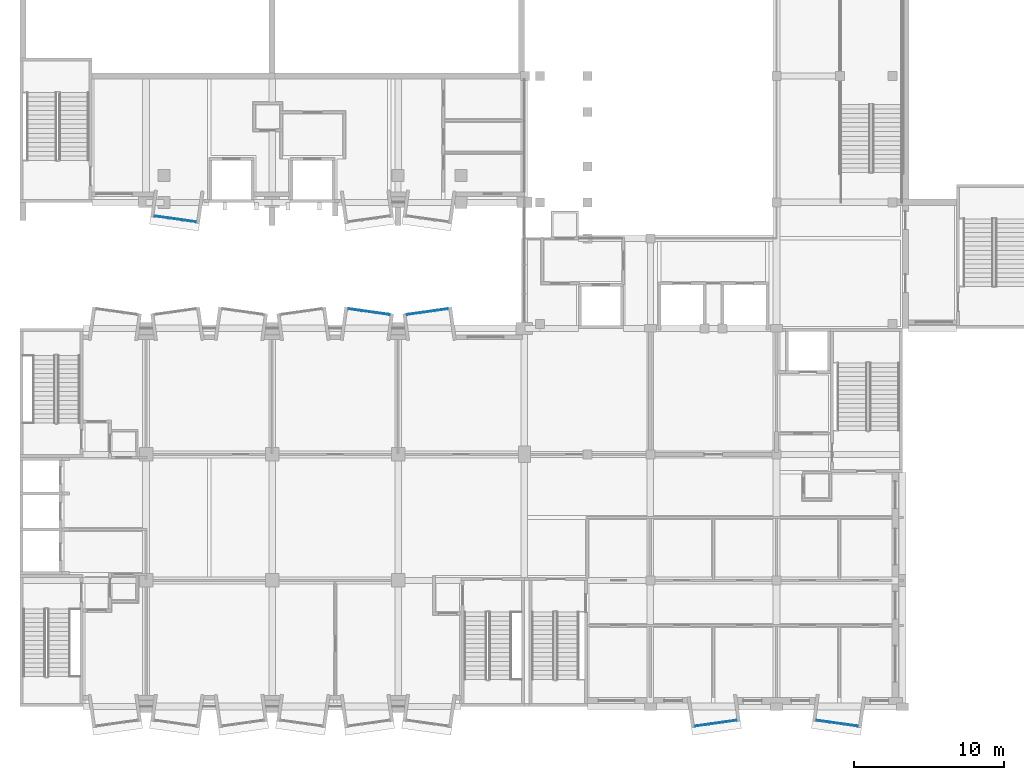
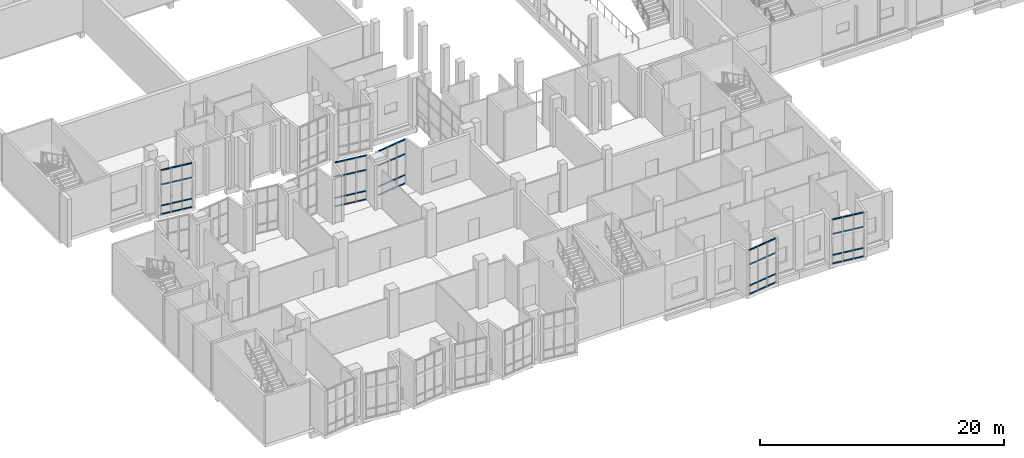
# One storey, part 17 of 91: 60 members, 5 elements without a shape of their own.
"""IFC4 building model written with IfcOpenShell, lengths in metres."""

from ifc_helpers import new_model, si_unit, direction, frame, origin, origin_2d, place, context, subcontext, project, spatial, rectangle, extrude, material, layer, layer_set, material_profile, profile_set, type_object, element, aggregate, save


model = new_model("IFC4")

# Units and contexts
model_context = context("Model", 3, precision=1e-05, world=origin(), true_north=direction((0.0, 1.0)))
body_context = subcontext(model_context, "Body", "Model", "MODEL_VIEW")
ifc_project = project(units=[si_unit("LENGTHUNIT", "METRE"), si_unit("AREAUNIT", "SQUARE_METRE"), si_unit("VOLUMEUNIT", "CUBIC_METRE"), si_unit("PLANEANGLEUNIT", "RADIAN"), si_unit("MASSUNIT", "GRAM", prefix="KILO")], contexts=[model_context])

# Site, building, storey
site_placement = place(None, origin())
site = spatial("IfcSite", under=ifc_project, at=site_placement, CompositionType="ELEMENT")
building_placement = place(site_placement, origin())
building = spatial("IfcBuilding", under=site, at=building_placement, Name="Kiln Court Media Centre", CompositionType="ELEMENT")
storey_placement = place(building_placement, frame((0.0, 0.0, 5.39990234375)))
storey = spatial("IfcBuildingStorey", under=building, at=storey_placement, Name="L01", CompositionType="ELEMENT", Elevation=5.39990234375)

# Curtain wall, members
ifc_material_1 = material(Name="Aluminium 6063-T6", Category="aluminium")
ifc_layer = layer(ifc_material_1, 0.1201171875)
ifc_layer_set = layer_set([ifc_layer], Name="Aluminium unitised bay curtain wall")
curtain_wall_type = type_object("IfcCurtainWallType", Name="Aluminium unitised bay curtain wall", PredefinedType="USERDEFINED", material=ifc_layer_set)
curtain_wall_1_placement = place(storey_placement, origin())
curtain_wall_1 = element("IfcCurtainWall", 1, at=curtain_wall_1_placement, inside=storey, type_object=curtain_wall_type, Name="BAY V4-S-L01-03 front", ObjectType="UNITISED CURTAIN WALL", PredefinedType="USERDEFINED")
ifc_material_2 = material(Name="Aluminium 6063-T6", Category="aluminium")
ifc_material_profile = material_profile(ifc_material_2, rectangle(XDim=0.06005859375, YDim=0.1201171875, at=origin_2d()), Name="Aluminium transom 60x120")
ifc_profile_set = profile_set([ifc_material_profile], Name="Aluminium 6063-T6")
member_type = type_object("IfcMemberType", Name="Aluminium transom 60x120", PredefinedType="USERDEFINED", material=ifc_profile_set)
member_1_placement = place(storey_placement, frame((8.982421875, 32.68212890625, 0.06005859375), z_axis=(0.990273563383, -0.139133998951, 0.0), x_axis=(0.139133998951, 0.990273563383, 0.0)))
member_1 = element("IfcMember", 2, at=member_1_placement, type_object=member_type, Name="CW1-01 transom 1.1", ObjectType="TRANSOM", PredefinedType="USERDEFINED", context=body_context, shape_type="SweptSolid", body=[
    extrude(rectangle(XDim=0.06005859375, YDim=0.1201171875, at=origin_2d()), origin(), (0.0, 0.0, 1.0), 0.866943359375),
])
member_2_placement = place(storey_placement, frame((8.982421875, 32.68212890625, 0.900146484375), z_axis=(0.990273563383, -0.139133998951, 0.0), x_axis=(0.139133998951, 0.990273563383, 0.0)))
member_2 = element("IfcMember", 3, at=member_2_placement, type_object=member_type, Name="CW1-01 transom 1.2", ObjectType="TRANSOM", PredefinedType="USERDEFINED", context=body_context, shape_type="SweptSolid", body=[
    extrude(rectangle(XDim=0.06005859375, YDim=0.1201171875, at=origin_2d()), origin(), (0.0, 0.0, 1.0), 0.866943359375),
])
member_3_placement = place(storey_placement, frame((8.982421875, 32.68212890625, 3.0), z_axis=(0.990273563383, -0.139133998951, 0.0), x_axis=(0.139133998951, 0.990273563383, 0.0)))
member_3 = element("IfcMember", 4, at=member_3_placement, type_object=member_type, Name="CW1-01 transom 1.3", ObjectType="TRANSOM", PredefinedType="USERDEFINED", context=body_context, shape_type="SweptSolid", body=[
    extrude(rectangle(XDim=0.06005859375, YDim=0.1201171875, at=origin_2d()), origin(), (0.0, 0.0, 1.0), 0.866943359375),
])
member_4_placement = place(storey_placement, frame((8.982421875, 32.68212890625, 4.440185546875), z_axis=(0.990273563383, -0.139133998951, 0.0), x_axis=(0.139133998951, 0.990273563383, 0.0)))
member_4 = element("IfcMember", 5, at=member_4_placement, type_object=member_type, Name="CW1-01 transom 1.4", ObjectType="TRANSOM", PredefinedType="USERDEFINED", context=body_context, shape_type="SweptSolid", body=[
    extrude(rectangle(XDim=0.06005859375, YDim=0.1201171875, at=origin_2d()), origin(), (0.0, 0.0, 1.0), 0.866943359375),
])
member_5_placement = place(storey_placement, frame((9.900146484375, 32.55322265625, 0.06005859375), z_axis=(0.990273584723, -0.13913384707, 0.0), x_axis=(0.13913384707, 0.990273584723, 0.0)))
member_5 = element("IfcMember", 6, at=member_5_placement, type_object=member_type, Name="CW1-01 transom 2.1", ObjectType="TRANSOM", PredefinedType="USERDEFINED", context=body_context, shape_type="SweptSolid", body=[
    extrude(rectangle(XDim=0.06005859375, YDim=0.1201171875, at=origin_2d()), origin(), (0.0, 0.0, 1.0), 0.896728515625),
])
member_6_placement = place(storey_placement, frame((9.900146484375, 32.55322265625, 0.900146484375), z_axis=(0.990273584723, -0.13913384707, 0.0), x_axis=(0.13913384707, 0.990273584723, 0.0)))
member_6 = element("IfcMember", 7, at=member_6_placement, type_object=member_type, Name="CW1-01 transom 2.2", ObjectType="TRANSOM", PredefinedType="USERDEFINED", context=body_context, shape_type="SweptSolid", body=[
    extrude(rectangle(XDim=0.06005859375, YDim=0.1201171875, at=origin_2d()), origin(), (0.0, 0.0, 1.0), 0.896728515625),
])
member_7_placement = place(storey_placement, frame((9.900146484375, 32.55322265625, 3.0), z_axis=(0.990273584723, -0.13913384707, 0.0), x_axis=(0.13913384707, 0.990273584723, 0.0)))
member_7 = element("IfcMember", 8, at=member_7_placement, type_object=member_type, Name="CW1-01 transom 2.3", ObjectType="TRANSOM", PredefinedType="USERDEFINED", context=body_context, shape_type="SweptSolid", body=[
    extrude(rectangle(XDim=0.06005859375, YDim=0.1201171875, at=origin_2d()), origin(), (0.0, 0.0, 1.0), 0.896728515625),
])
member_8_placement = place(storey_placement, frame((9.900146484375, 32.55322265625, 4.440185546875), z_axis=(0.990273584723, -0.13913384707, 0.0), x_axis=(0.13913384707, 0.990273584723, 0.0)))
member_8 = element("IfcMember", 9, at=member_8_placement, type_object=member_type, Name="CW1-01 transom 2.4", ObjectType="TRANSOM", PredefinedType="USERDEFINED", context=body_context, shape_type="SweptSolid", body=[
    extrude(rectangle(XDim=0.06005859375, YDim=0.1201171875, at=origin_2d()), origin(), (0.0, 0.0, 1.0), 0.896728515625),
])
member_9_placement = place(storey_placement, frame((10.84765625, 32.420166015625, 0.06005859375), z_axis=(0.990268108888, -0.139172815303, 0.0), x_axis=(0.139172815303, 0.990268108888, 0.0)))
member_9 = element("IfcMember", 10, at=member_9_placement, type_object=member_type, Name="CW1-01 transom 3.1", ObjectType="TRANSOM", PredefinedType="USERDEFINED", context=body_context, shape_type="SweptSolid", body=[
    extrude(rectangle(XDim=0.06005859375, YDim=0.1201171875, at=origin_2d()), origin(), (0.0, 0.0, 1.0), 0.86669921875),
])
member_10_placement = place(storey_placement, frame((10.84765625, 32.420166015625, 0.900146484375), z_axis=(0.990268108888, -0.139172815303, 0.0), x_axis=(0.139172815303, 0.990268108888, 0.0)))
member_10 = element("IfcMember", 11, at=member_10_placement, type_object=member_type, Name="CW1-01 transom 3.2", ObjectType="TRANSOM", PredefinedType="USERDEFINED", context=body_context, shape_type="SweptSolid", body=[
    extrude(rectangle(XDim=0.06005859375, YDim=0.1201171875, at=origin_2d()), origin(), (0.0, 0.0, 1.0), 0.86669921875),
])
member_11_placement = place(storey_placement, frame((10.84765625, 32.420166015625, 3.0), z_axis=(0.990268108888, -0.139172815303, 0.0), x_axis=(0.139172815303, 0.990268108888, 0.0)))
member_11 = element("IfcMember", 12, at=member_11_placement, type_object=member_type, Name="CW1-01 transom 3.3", ObjectType="TRANSOM", PredefinedType="USERDEFINED", context=body_context, shape_type="SweptSolid", body=[
    extrude(rectangle(XDim=0.06005859375, YDim=0.1201171875, at=origin_2d()), origin(), (0.0, 0.0, 1.0), 0.86669921875),
])
member_12_placement = place(storey_placement, frame((10.84765625, 32.420166015625, 4.440185546875), z_axis=(0.990268108888, -0.139172815303, 0.0), x_axis=(0.139172815303, 0.990268108888, 0.0)))
member_12 = element("IfcMember", 13, at=member_12_placement, type_object=member_type, Name="CW1-01 transom 3.4", ObjectType="TRANSOM", PredefinedType="USERDEFINED", context=body_context, shape_type="SweptSolid", body=[
    extrude(rectangle(XDim=0.06005859375, YDim=0.1201171875, at=origin_2d()), origin(), (0.0, 0.0, 1.0), 0.86669921875),
])
aggregate(curtain_wall_1, [member_1, member_2, member_3, member_4, member_5, member_6, member_7, member_8, member_9, member_10, member_11, member_12])

curtain_wall_2_placement = place(storey_placement, origin())
curtain_wall_2 = element("IfcCurtainWall", 14, at=curtain_wall_2_placement, inside=storey, type_object=curtain_wall_type, Name="BAY V6A-N-L01-06 front", ObjectType="UNITISED CURTAIN WALL", PredefinedType="USERDEFINED")
member_13_placement = place(storey_placement, frame((21.894287109375, 26.50048828125, 0.06005859375), z_axis=(0.990268108888, -0.139172815303, 0.0), x_axis=(0.139172815303, 0.990268108888, 0.0)))
member_13 = element("IfcMember", 15, at=member_13_placement, type_object=member_type, Name="CW1-08 transom 1.1", ObjectType="TRANSOM", PredefinedType="USERDEFINED", context=body_context, shape_type="SweptSolid", body=[
    extrude(rectangle(XDim=0.06005859375, YDim=0.1201171875, at=origin_2d()), origin(), (0.0, 0.0, 1.0), 0.86669921875),
])
member_14_placement = place(storey_placement, frame((21.894287109375, 26.50048828125, 0.900146484375), z_axis=(0.990268108888, -0.139172815303, 0.0), x_axis=(0.139172815303, 0.990268108888, 0.0)))
member_14 = element("IfcMember", 16, at=member_14_placement, type_object=member_type, Name="CW1-08 transom 1.2", ObjectType="TRANSOM", PredefinedType="USERDEFINED", context=body_context, shape_type="SweptSolid", body=[
    extrude(rectangle(XDim=0.06005859375, YDim=0.1201171875, at=origin_2d()), origin(), (0.0, 0.0, 1.0), 0.86669921875),
])
member_15_placement = place(storey_placement, frame((21.894287109375, 26.50048828125, 3.0), z_axis=(0.990268108888, -0.139172815303, 0.0), x_axis=(0.139172815303, 0.990268108888, 0.0)))
member_15 = element("IfcMember", 17, at=member_15_placement, type_object=member_type, Name="CW1-08 transom 1.3", ObjectType="TRANSOM", PredefinedType="USERDEFINED", context=body_context, shape_type="SweptSolid", body=[
    extrude(rectangle(XDim=0.06005859375, YDim=0.1201171875, at=origin_2d()), origin(), (0.0, 0.0, 1.0), 0.86669921875),
])
member_16_placement = place(storey_placement, frame((21.894287109375, 26.50048828125, 4.440185546875), z_axis=(0.990268108888, -0.139172815303, 0.0), x_axis=(0.139172815303, 0.990268108888, 0.0)))
member_16 = element("IfcMember", 18, at=member_16_placement, type_object=member_type, Name="CW1-08 transom 1.4", ObjectType="TRANSOM", PredefinedType="USERDEFINED", context=body_context, shape_type="SweptSolid", body=[
    extrude(rectangle(XDim=0.06005859375, YDim=0.1201171875, at=origin_2d()), origin(), (0.0, 0.0, 1.0), 0.86669921875),
])
member_17_placement = place(storey_placement, frame((22.811767578125, 26.37158203125, 0.06005859375), z_axis=(0.990273584723, -0.13913384707, 0.0), x_axis=(0.13913384707, 0.990273584723, 0.0)))
member_17 = element("IfcMember", 19, at=member_17_placement, type_object=member_type, Name="CW1-08 transom 2.1", ObjectType="TRANSOM", PredefinedType="USERDEFINED", context=body_context, shape_type="SweptSolid", body=[
    extrude(rectangle(XDim=0.06005859375, YDim=0.1201171875, at=origin_2d()), origin(), (0.0, 0.0, 1.0), 0.896728515625),
])
member_18_placement = place(storey_placement, frame((22.811767578125, 26.37158203125, 0.900146484375), z_axis=(0.990273584723, -0.13913384707, 0.0), x_axis=(0.13913384707, 0.990273584723, 0.0)))
member_18 = element("IfcMember", 20, at=member_18_placement, type_object=member_type, Name="CW1-08 transom 2.2", ObjectType="TRANSOM", PredefinedType="USERDEFINED", context=body_context, shape_type="SweptSolid", body=[
    extrude(rectangle(XDim=0.06005859375, YDim=0.1201171875, at=origin_2d()), origin(), (0.0, 0.0, 1.0), 0.896728515625),
])
member_19_placement = place(storey_placement, frame((22.811767578125, 26.37158203125, 3.0), z_axis=(0.990273584723, -0.13913384707, 0.0), x_axis=(0.13913384707, 0.990273584723, 0.0)))
member_19 = element("IfcMember", 21, at=member_19_placement, type_object=member_type, Name="CW1-08 transom 2.3", ObjectType="TRANSOM", PredefinedType="USERDEFINED", context=body_context, shape_type="SweptSolid", body=[
    extrude(rectangle(XDim=0.06005859375, YDim=0.1201171875, at=origin_2d()), origin(), (0.0, 0.0, 1.0), 0.896728515625),
])
member_20_placement = place(storey_placement, frame((22.811767578125, 26.37158203125, 4.440185546875), z_axis=(0.990273584723, -0.13913384707, 0.0), x_axis=(0.13913384707, 0.990273584723, 0.0)))
member_20 = element("IfcMember", 22, at=member_20_placement, type_object=member_type, Name="CW1-08 transom 2.4", ObjectType="TRANSOM", PredefinedType="USERDEFINED", context=body_context, shape_type="SweptSolid", body=[
    extrude(rectangle(XDim=0.06005859375, YDim=0.1201171875, at=origin_2d()), origin(), (0.0, 0.0, 1.0), 0.896728515625),
])
member_21_placement = place(storey_placement, frame((23.75927734375, 26.23828125, 0.06005859375), z_axis=(0.990268108888, -0.139172815303, 0.0), x_axis=(0.139172815303, 0.990268108888, 0.0)))
member_21 = element("IfcMember", 23, at=member_21_placement, type_object=member_type, Name="CW1-08 transom 3.1", ObjectType="TRANSOM", PredefinedType="USERDEFINED", context=body_context, shape_type="SweptSolid", body=[
    extrude(rectangle(XDim=0.06005859375, YDim=0.1201171875, at=origin_2d()), origin(), (0.0, 0.0, 1.0), 0.86669921875),
])
member_22_placement = place(storey_placement, frame((23.75927734375, 26.23828125, 0.900146484375), z_axis=(0.990268108888, -0.139172815303, 0.0), x_axis=(0.139172815303, 0.990268108888, 0.0)))
member_22 = element("IfcMember", 24, at=member_22_placement, type_object=member_type, Name="CW1-08 transom 3.2", ObjectType="TRANSOM", PredefinedType="USERDEFINED", context=body_context, shape_type="SweptSolid", body=[
    extrude(rectangle(XDim=0.06005859375, YDim=0.1201171875, at=origin_2d()), origin(), (0.0, 0.0, 1.0), 0.86669921875),
])
member_23_placement = place(storey_placement, frame((23.75927734375, 26.23828125, 3.0), z_axis=(0.990268108888, -0.139172815303, 0.0), x_axis=(0.139172815303, 0.990268108888, 0.0)))
member_23 = element("IfcMember", 25, at=member_23_placement, type_object=member_type, Name="CW1-08 transom 3.3", ObjectType="TRANSOM", PredefinedType="USERDEFINED", context=body_context, shape_type="SweptSolid", body=[
    extrude(rectangle(XDim=0.06005859375, YDim=0.1201171875, at=origin_2d()), origin(), (0.0, 0.0, 1.0), 0.86669921875),
])
member_24_placement = place(storey_placement, frame((23.75927734375, 26.23828125, 4.440185546875), z_axis=(0.990268108888, -0.139172815303, 0.0), x_axis=(0.139172815303, 0.990268108888, 0.0)))
member_24 = element("IfcMember", 26, at=member_24_placement, type_object=member_type, Name="CW1-08 transom 3.4", ObjectType="TRANSOM", PredefinedType="USERDEFINED", context=body_context, shape_type="SweptSolid", body=[
    extrude(rectangle(XDim=0.06005859375, YDim=0.1201171875, at=origin_2d()), origin(), (0.0, 0.0, 1.0), 0.86669921875),
])
aggregate(curtain_wall_2, [member_13, member_14, member_15, member_16, member_17, member_18, member_19, member_20, member_21, member_22, member_23, member_24])

curtain_wall_3_placement = place(storey_placement, origin())
curtain_wall_3 = element("IfcCurtainWall", 27, at=curtain_wall_3_placement, inside=storey, type_object=curtain_wall_type, Name="BAY V6A-N-L01-07 front", ObjectType="UNITISED CURTAIN WALL", PredefinedType="USERDEFINED")
member_25_placement = place(storey_placement, frame((25.782470703125, 26.11767578125, 0.06005859375), z_axis=(0.990273563383, 0.139133998951, 0.0), x_axis=(-0.139133998951, 0.990273563383, 0.0)))
member_25 = element("IfcMember", 28, at=member_25_placement, type_object=member_type, Name="CW1-09 transom 1.1", ObjectType="TRANSOM", PredefinedType="USERDEFINED", context=body_context, shape_type="SweptSolid", body=[
    extrude(rectangle(XDim=0.06005859375, YDim=0.1201171875, at=origin_2d()), origin(), (0.0, 0.0, 1.0), 0.866943359375),
])
member_26_placement = place(storey_placement, frame((25.782470703125, 26.11767578125, 0.900146484375), z_axis=(0.990273563383, 0.139133998951, 0.0), x_axis=(-0.139133998951, 0.990273563383, 0.0)))
member_26 = element("IfcMember", 29, at=member_26_placement, type_object=member_type, Name="CW1-09 transom 1.2", ObjectType="TRANSOM", PredefinedType="USERDEFINED", context=body_context, shape_type="SweptSolid", body=[
    extrude(rectangle(XDim=0.06005859375, YDim=0.1201171875, at=origin_2d()), origin(), (0.0, 0.0, 1.0), 0.866943359375),
])
member_27_placement = place(storey_placement, frame((25.782470703125, 26.11767578125, 3.0), z_axis=(0.990273563383, 0.139133998951, 0.0), x_axis=(-0.139133998951, 0.990273563383, 0.0)))
member_27 = element("IfcMember", 30, at=member_27_placement, type_object=member_type, Name="CW1-09 transom 1.3", ObjectType="TRANSOM", PredefinedType="USERDEFINED", context=body_context, shape_type="SweptSolid", body=[
    extrude(rectangle(XDim=0.06005859375, YDim=0.1201171875, at=origin_2d()), origin(), (0.0, 0.0, 1.0), 0.866943359375),
])
member_28_placement = place(storey_placement, frame((25.782470703125, 26.11767578125, 4.440185546875), z_axis=(0.990273563383, 0.139133998951, 0.0), x_axis=(-0.139133998951, 0.990273563383, 0.0)))
member_28 = element("IfcMember", 31, at=member_28_placement, type_object=member_type, Name="CW1-09 transom 1.4", ObjectType="TRANSOM", PredefinedType="USERDEFINED", context=body_context, shape_type="SweptSolid", body=[
    extrude(rectangle(XDim=0.06005859375, YDim=0.1201171875, at=origin_2d()), origin(), (0.0, 0.0, 1.0), 0.866943359375),
])
member_29_placement = place(storey_placement, frame((26.7001953125, 26.246826171875, 0.06005859375), z_axis=(0.990273584723, 0.13913384707, 0.0), x_axis=(-0.13913384707, 0.990273584723, 0.0)))
member_29 = element("IfcMember", 32, at=member_29_placement, type_object=member_type, Name="CW1-09 transom 2.1", ObjectType="TRANSOM", PredefinedType="USERDEFINED", context=body_context, shape_type="SweptSolid", body=[
    extrude(rectangle(XDim=0.06005859375, YDim=0.1201171875, at=origin_2d()), origin(), (0.0, 0.0, 1.0), 0.896728515625),
])
member_30_placement = place(storey_placement, frame((26.7001953125, 26.246826171875, 0.900146484375), z_axis=(0.990273584723, 0.13913384707, 0.0), x_axis=(-0.13913384707, 0.990273584723, 0.0)))
member_30 = element("IfcMember", 33, at=member_30_placement, type_object=member_type, Name="CW1-09 transom 2.2", ObjectType="TRANSOM", PredefinedType="USERDEFINED", context=body_context, shape_type="SweptSolid", body=[
    extrude(rectangle(XDim=0.06005859375, YDim=0.1201171875, at=origin_2d()), origin(), (0.0, 0.0, 1.0), 0.896728515625),
])
member_31_placement = place(storey_placement, frame((26.7001953125, 26.246826171875, 3.0), z_axis=(0.990273584723, 0.13913384707, 0.0), x_axis=(-0.13913384707, 0.990273584723, 0.0)))
member_31 = element("IfcMember", 34, at=member_31_placement, type_object=member_type, Name="CW1-09 transom 2.3", ObjectType="TRANSOM", PredefinedType="USERDEFINED", context=body_context, shape_type="SweptSolid", body=[
    extrude(rectangle(XDim=0.06005859375, YDim=0.1201171875, at=origin_2d()), origin(), (0.0, 0.0, 1.0), 0.896728515625),
])
member_32_placement = place(storey_placement, frame((26.7001953125, 26.246826171875, 4.440185546875), z_axis=(0.990273584723, 0.13913384707, 0.0), x_axis=(-0.13913384707, 0.990273584723, 0.0)))
member_32 = element("IfcMember", 35, at=member_32_placement, type_object=member_type, Name="CW1-09 transom 2.4", ObjectType="TRANSOM", PredefinedType="USERDEFINED", context=body_context, shape_type="SweptSolid", body=[
    extrude(rectangle(XDim=0.06005859375, YDim=0.1201171875, at=origin_2d()), origin(), (0.0, 0.0, 1.0), 0.896728515625),
])
member_33_placement = place(storey_placement, frame((27.6474609375, 26.3798828125, 0.06005859375), z_axis=(0.990273563383, 0.139133998951, 0.0), x_axis=(-0.139133998951, 0.990273563383, 0.0)))
member_33 = element("IfcMember", 36, at=member_33_placement, type_object=member_type, Name="CW1-09 transom 3.1", ObjectType="TRANSOM", PredefinedType="USERDEFINED", context=body_context, shape_type="SweptSolid", body=[
    extrude(rectangle(XDim=0.06005859375, YDim=0.1201171875, at=origin_2d()), origin(), (0.0, 0.0, 1.0), 0.866943359375),
])
member_34_placement = place(storey_placement, frame((27.6474609375, 26.3798828125, 0.900146484375), z_axis=(0.990273563383, 0.139133998951, 0.0), x_axis=(-0.139133998951, 0.990273563383, 0.0)))
member_34 = element("IfcMember", 37, at=member_34_placement, type_object=member_type, Name="CW1-09 transom 3.2", ObjectType="TRANSOM", PredefinedType="USERDEFINED", context=body_context, shape_type="SweptSolid", body=[
    extrude(rectangle(XDim=0.06005859375, YDim=0.1201171875, at=origin_2d()), origin(), (0.0, 0.0, 1.0), 0.866943359375),
])
member_35_placement = place(storey_placement, frame((27.6474609375, 26.3798828125, 3.0), z_axis=(0.990273563383, 0.139133998951, 0.0), x_axis=(-0.139133998951, 0.990273563383, 0.0)))
member_35 = element("IfcMember", 38, at=member_35_placement, type_object=member_type, Name="CW1-09 transom 3.3", ObjectType="TRANSOM", PredefinedType="USERDEFINED", context=body_context, shape_type="SweptSolid", body=[
    extrude(rectangle(XDim=0.06005859375, YDim=0.1201171875, at=origin_2d()), origin(), (0.0, 0.0, 1.0), 0.866943359375),
])
member_36_placement = place(storey_placement, frame((27.6474609375, 26.3798828125, 4.440185546875), z_axis=(0.990273563383, 0.139133998951, 0.0), x_axis=(-0.139133998951, 0.990273563383, 0.0)))
member_36 = element("IfcMember", 39, at=member_36_placement, type_object=member_type, Name="CW1-09 transom 3.4", ObjectType="TRANSOM", PredefinedType="USERDEFINED", context=body_context, shape_type="SweptSolid", body=[
    extrude(rectangle(XDim=0.06005859375, YDim=0.1201171875, at=origin_2d()), origin(), (0.0, 0.0, 1.0), 0.866943359375),
])
aggregate(curtain_wall_3, [member_25, member_26, member_27, member_28, member_29, member_30, member_31, member_32, member_33, member_34, member_35, member_36])

curtain_wall_4_placement = place(storey_placement, origin())
curtain_wall_4 = element("IfcCurtainWall", 40, at=curtain_wall_4_placement, inside=storey, type_object=curtain_wall_type, Name="BAY V6B-S-L01-02 front", ObjectType="UNITISED CURTAIN WALL", PredefinedType="USERDEFINED")
member_37_placement = place(storey_placement, frame((44.994140625, -1.300537109375, 0.06005859375), z_axis=(0.990273563383, 0.139133998951, 0.0), x_axis=(-0.139133998951, 0.990273563383, 0.0)))
member_37 = element("IfcMember", 41, at=member_37_placement, type_object=member_type, Name="CW1-16 transom 1.1", ObjectType="TRANSOM", PredefinedType="USERDEFINED", context=body_context, shape_type="SweptSolid", body=[
    extrude(rectangle(XDim=0.06005859375, YDim=0.1201171875, at=origin_2d()), origin(), (0.0, 0.0, 1.0), 0.866943359375),
])
member_38_placement = place(storey_placement, frame((44.994140625, -1.300537109375, 0.900146484375), z_axis=(0.990273563383, 0.139133998951, 0.0), x_axis=(-0.139133998951, 0.990273563383, 0.0)))
member_38 = element("IfcMember", 42, at=member_38_placement, type_object=member_type, Name="CW1-16 transom 1.2", ObjectType="TRANSOM", PredefinedType="USERDEFINED", context=body_context, shape_type="SweptSolid", body=[
    extrude(rectangle(XDim=0.06005859375, YDim=0.1201171875, at=origin_2d()), origin(), (0.0, 0.0, 1.0), 0.866943359375),
])
member_39_placement = place(storey_placement, frame((44.994140625, -1.300537109375, 3.0), z_axis=(0.990273563383, 0.139133998951, 0.0), x_axis=(-0.139133998951, 0.990273563383, 0.0)))
member_39 = element("IfcMember", 43, at=member_39_placement, type_object=member_type, Name="CW1-16 transom 1.3", ObjectType="TRANSOM", PredefinedType="USERDEFINED", context=body_context, shape_type="SweptSolid", body=[
    extrude(rectangle(XDim=0.06005859375, YDim=0.1201171875, at=origin_2d()), origin(), (0.0, 0.0, 1.0), 0.866943359375),
])
member_40_placement = place(storey_placement, frame((44.994140625, -1.300537109375, 4.440185546875), z_axis=(0.990273563383, 0.139133998951, 0.0), x_axis=(-0.139133998951, 0.990273563383, 0.0)))
member_40 = element("IfcMember", 44, at=member_40_placement, type_object=member_type, Name="CW1-16 transom 1.4", ObjectType="TRANSOM", PredefinedType="USERDEFINED", context=body_context, shape_type="SweptSolid", body=[
    extrude(rectangle(XDim=0.06005859375, YDim=0.1201171875, at=origin_2d()), origin(), (0.0, 0.0, 1.0), 0.866943359375),
])
member_41_placement = place(storey_placement, frame((45.911865234375, -1.17138671875, 0.06005859375), z_axis=(0.990273584723, 0.13913384707, 0.0), x_axis=(-0.13913384707, 0.990273584723, 0.0)))
member_41 = element("IfcMember", 45, at=member_41_placement, type_object=member_type, Name="CW1-16 transom 2.1", ObjectType="TRANSOM", PredefinedType="USERDEFINED", context=body_context, shape_type="SweptSolid", body=[
    extrude(rectangle(XDim=0.06005859375, YDim=0.1201171875, at=origin_2d()), origin(), (0.0, 0.0, 1.0), 0.896728515625),
])
member_42_placement = place(storey_placement, frame((45.911865234375, -1.17138671875, 0.900146484375), z_axis=(0.990273584723, 0.13913384707, 0.0), x_axis=(-0.13913384707, 0.990273584723, 0.0)))
member_42 = element("IfcMember", 46, at=member_42_placement, type_object=member_type, Name="CW1-16 transom 2.2", ObjectType="TRANSOM", PredefinedType="USERDEFINED", context=body_context, shape_type="SweptSolid", body=[
    extrude(rectangle(XDim=0.06005859375, YDim=0.1201171875, at=origin_2d()), origin(), (0.0, 0.0, 1.0), 0.896728515625),
])
member_43_placement = place(storey_placement, frame((45.911865234375, -1.17138671875, 3.0), z_axis=(0.990273584723, 0.13913384707, 0.0), x_axis=(-0.13913384707, 0.990273584723, 0.0)))
member_43 = element("IfcMember", 47, at=member_43_placement, type_object=member_type, Name="CW1-16 transom 2.3", ObjectType="TRANSOM", PredefinedType="USERDEFINED", context=body_context, shape_type="SweptSolid", body=[
    extrude(rectangle(XDim=0.06005859375, YDim=0.1201171875, at=origin_2d()), origin(), (0.0, 0.0, 1.0), 0.896728515625),
])
member_44_placement = place(storey_placement, frame((45.911865234375, -1.17138671875, 4.440185546875), z_axis=(0.990273584723, 0.13913384707, 0.0), x_axis=(-0.13913384707, 0.990273584723, 0.0)))
member_44 = element("IfcMember", 48, at=member_44_placement, type_object=member_type, Name="CW1-16 transom 2.4", ObjectType="TRANSOM", PredefinedType="USERDEFINED", context=body_context, shape_type="SweptSolid", body=[
    extrude(rectangle(XDim=0.06005859375, YDim=0.1201171875, at=origin_2d()), origin(), (0.0, 0.0, 1.0), 0.896728515625),
])
member_45_placement = place(storey_placement, frame((46.859130859375, -1.038330078125, 0.06005859375), z_axis=(0.990273563383, 0.139133998951, 0.0), x_axis=(-0.139133998951, 0.990273563383, 0.0)))
member_45 = element("IfcMember", 49, at=member_45_placement, type_object=member_type, Name="CW1-16 transom 3.1", ObjectType="TRANSOM", PredefinedType="USERDEFINED", context=body_context, shape_type="SweptSolid", body=[
    extrude(rectangle(XDim=0.06005859375, YDim=0.1201171875, at=origin_2d()), origin(), (0.0, 0.0, 1.0), 0.866943359375),
])
member_46_placement = place(storey_placement, frame((46.859130859375, -1.038330078125, 0.900146484375), z_axis=(0.990273563383, 0.139133998951, 0.0), x_axis=(-0.139133998951, 0.990273563383, 0.0)))
member_46 = element("IfcMember", 50, at=member_46_placement, type_object=member_type, Name="CW1-16 transom 3.2", ObjectType="TRANSOM", PredefinedType="USERDEFINED", context=body_context, shape_type="SweptSolid", body=[
    extrude(rectangle(XDim=0.06005859375, YDim=0.1201171875, at=origin_2d()), origin(), (0.0, 0.0, 1.0), 0.866943359375),
])
member_47_placement = place(storey_placement, frame((46.859130859375, -1.038330078125, 3.0), z_axis=(0.990273563383, 0.139133998951, 0.0), x_axis=(-0.139133998951, 0.990273563383, 0.0)))
member_47 = element("IfcMember", 51, at=member_47_placement, type_object=member_type, Name="CW1-16 transom 3.3", ObjectType="TRANSOM", PredefinedType="USERDEFINED", context=body_context, shape_type="SweptSolid", body=[
    extrude(rectangle(XDim=0.06005859375, YDim=0.1201171875, at=origin_2d()), origin(), (0.0, 0.0, 1.0), 0.866943359375),
])
member_48_placement = place(storey_placement, frame((46.859130859375, -1.038330078125, 4.440185546875), z_axis=(0.990273563383, 0.139133998951, 0.0), x_axis=(-0.139133998951, 0.990273563383, 0.0)))
member_48 = element("IfcMember", 52, at=member_48_placement, type_object=member_type, Name="CW1-16 transom 3.4", ObjectType="TRANSOM", PredefinedType="USERDEFINED", context=body_context, shape_type="SweptSolid", body=[
    extrude(rectangle(XDim=0.06005859375, YDim=0.1201171875, at=origin_2d()), origin(), (0.0, 0.0, 1.0), 0.866943359375),
])
aggregate(curtain_wall_4, [member_37, member_38, member_39, member_40, member_41, member_42, member_43, member_44, member_45, member_46, member_47, member_48])

curtain_wall_5_placement = place(storey_placement, origin())
curtain_wall_5 = element("IfcCurtainWall", 53, at=curtain_wall_5_placement, inside=storey, type_object=curtain_wall_type, Name="BAY V6B-S-L01-03 front", ObjectType="UNITISED CURTAIN WALL", PredefinedType="USERDEFINED")
member_49_placement = place(storey_placement, frame((53.08251953125, -0.917724609375, 0.06005859375), z_axis=(0.990268108888, -0.139172815303, 0.0), x_axis=(0.139172815303, 0.990268108888, 0.0)))
member_49 = element("IfcMember", 54, at=member_49_placement, type_object=member_type, Name="CW1-17 transom 1.1", ObjectType="TRANSOM", PredefinedType="USERDEFINED", context=body_context, shape_type="SweptSolid", body=[
    extrude(rectangle(XDim=0.06005859375, YDim=0.1201171875, at=origin_2d()), origin(), (0.0, 0.0, 1.0), 0.86669921875),
])
member_50_placement = place(storey_placement, frame((53.08251953125, -0.917724609375, 0.900146484375), z_axis=(0.990268108888, -0.139172815303, 0.0), x_axis=(0.139172815303, 0.990268108888, 0.0)))
member_50 = element("IfcMember", 55, at=member_50_placement, type_object=member_type, Name="CW1-17 transom 1.2", ObjectType="TRANSOM", PredefinedType="USERDEFINED", context=body_context, shape_type="SweptSolid", body=[
    extrude(rectangle(XDim=0.06005859375, YDim=0.1201171875, at=origin_2d()), origin(), (0.0, 0.0, 1.0), 0.86669921875),
])
member_51_placement = place(storey_placement, frame((53.08251953125, -0.917724609375, 3.0), z_axis=(0.990268108888, -0.139172815303, 0.0), x_axis=(0.139172815303, 0.990268108888, 0.0)))
member_51 = element("IfcMember", 56, at=member_51_placement, type_object=member_type, Name="CW1-17 transom 1.3", ObjectType="TRANSOM", PredefinedType="USERDEFINED", context=body_context, shape_type="SweptSolid", body=[
    extrude(rectangle(XDim=0.06005859375, YDim=0.1201171875, at=origin_2d()), origin(), (0.0, 0.0, 1.0), 0.86669921875),
])
member_52_placement = place(storey_placement, frame((53.08251953125, -0.917724609375, 4.440185546875), z_axis=(0.990268108888, -0.139172815303, 0.0), x_axis=(0.139172815303, 0.990268108888, 0.0)))
member_52 = element("IfcMember", 57, at=member_52_placement, type_object=member_type, Name="CW1-17 transom 1.4", ObjectType="TRANSOM", PredefinedType="USERDEFINED", context=body_context, shape_type="SweptSolid", body=[
    extrude(rectangle(XDim=0.06005859375, YDim=0.1201171875, at=origin_2d()), origin(), (0.0, 0.0, 1.0), 0.86669921875),
])
member_53_placement = place(storey_placement, frame((54.000244140625, -1.046630859375, 0.06005859375), z_axis=(0.990273584723, -0.13913384707, 0.0), x_axis=(0.13913384707, 0.990273584723, 0.0)))
member_53 = element("IfcMember", 58, at=member_53_placement, type_object=member_type, Name="CW1-17 transom 2.1", ObjectType="TRANSOM", PredefinedType="USERDEFINED", context=body_context, shape_type="SweptSolid", body=[
    extrude(rectangle(XDim=0.06005859375, YDim=0.1201171875, at=origin_2d()), origin(), (0.0, 0.0, 1.0), 0.896728515625),
])
member_54_placement = place(storey_placement, frame((54.000244140625, -1.046630859375, 0.900146484375), z_axis=(0.990273584723, -0.13913384707, 0.0), x_axis=(0.13913384707, 0.990273584723, 0.0)))
member_54 = element("IfcMember", 59, at=member_54_placement, type_object=member_type, Name="CW1-17 transom 2.2", ObjectType="TRANSOM", PredefinedType="USERDEFINED", context=body_context, shape_type="SweptSolid", body=[
    extrude(rectangle(XDim=0.06005859375, YDim=0.1201171875, at=origin_2d()), origin(), (0.0, 0.0, 1.0), 0.896728515625),
])
member_55_placement = place(storey_placement, frame((54.000244140625, -1.046630859375, 3.0), z_axis=(0.990273584723, -0.13913384707, 0.0), x_axis=(0.13913384707, 0.990273584723, 0.0)))
member_55 = element("IfcMember", 60, at=member_55_placement, type_object=member_type, Name="CW1-17 transom 2.3", ObjectType="TRANSOM", PredefinedType="USERDEFINED", context=body_context, shape_type="SweptSolid", body=[
    extrude(rectangle(XDim=0.06005859375, YDim=0.1201171875, at=origin_2d()), origin(), (0.0, 0.0, 1.0), 0.896728515625),
])
member_56_placement = place(storey_placement, frame((54.000244140625, -1.046630859375, 4.440185546875), z_axis=(0.990273584723, -0.13913384707, 0.0), x_axis=(0.13913384707, 0.990273584723, 0.0)))
member_56 = element("IfcMember", 61, at=member_56_placement, type_object=member_type, Name="CW1-17 transom 2.4", ObjectType="TRANSOM", PredefinedType="USERDEFINED", context=body_context, shape_type="SweptSolid", body=[
    extrude(rectangle(XDim=0.06005859375, YDim=0.1201171875, at=origin_2d()), origin(), (0.0, 0.0, 1.0), 0.896728515625),
])
member_57_placement = place(storey_placement, frame((54.947509765625, -1.179931640625, 0.06005859375), z_axis=(0.990268108888, -0.139172815303, 0.0), x_axis=(0.139172815303, 0.990268108888, 0.0)))
member_57 = element("IfcMember", 62, at=member_57_placement, type_object=member_type, Name="CW1-17 transom 3.1", ObjectType="TRANSOM", PredefinedType="USERDEFINED", context=body_context, shape_type="SweptSolid", body=[
    extrude(rectangle(XDim=0.06005859375, YDim=0.1201171875, at=origin_2d()), origin(), (0.0, 0.0, 1.0), 0.86669921875),
])
member_58_placement = place(storey_placement, frame((54.947509765625, -1.179931640625, 0.900146484375), z_axis=(0.990268108888, -0.139172815303, 0.0), x_axis=(0.139172815303, 0.990268108888, 0.0)))
member_58 = element("IfcMember", 63, at=member_58_placement, type_object=member_type, Name="CW1-17 transom 3.2", ObjectType="TRANSOM", PredefinedType="USERDEFINED", context=body_context, shape_type="SweptSolid", body=[
    extrude(rectangle(XDim=0.06005859375, YDim=0.1201171875, at=origin_2d()), origin(), (0.0, 0.0, 1.0), 0.86669921875),
])
member_59_placement = place(storey_placement, frame((54.947509765625, -1.179931640625, 3.0), z_axis=(0.990268108888, -0.139172815303, 0.0), x_axis=(0.139172815303, 0.990268108888, 0.0)))
member_59 = element("IfcMember", 64, at=member_59_placement, type_object=member_type, Name="CW1-17 transom 3.3", ObjectType="TRANSOM", PredefinedType="USERDEFINED", context=body_context, shape_type="SweptSolid", body=[
    extrude(rectangle(XDim=0.06005859375, YDim=0.1201171875, at=origin_2d()), origin(), (0.0, 0.0, 1.0), 0.86669921875),
])
member_60_placement = place(storey_placement, frame((54.947509765625, -1.179931640625, 4.440185546875), z_axis=(0.990268108888, -0.139172815303, 0.0), x_axis=(0.139172815303, 0.990268108888, 0.0)))
member_60 = element("IfcMember", 65, at=member_60_placement, type_object=member_type, Name="CW1-17 transom 3.4", ObjectType="TRANSOM", PredefinedType="USERDEFINED", context=body_context, shape_type="SweptSolid", body=[
    extrude(rectangle(XDim=0.06005859375, YDim=0.1201171875, at=origin_2d()), origin(), (0.0, 0.0, 1.0), 0.86669921875),
])
aggregate(curtain_wall_5, [member_49, member_50, member_51, member_52, member_53, member_54, member_55, member_56, member_57, member_58, member_59, member_60])

save(model, "model.ifc")
